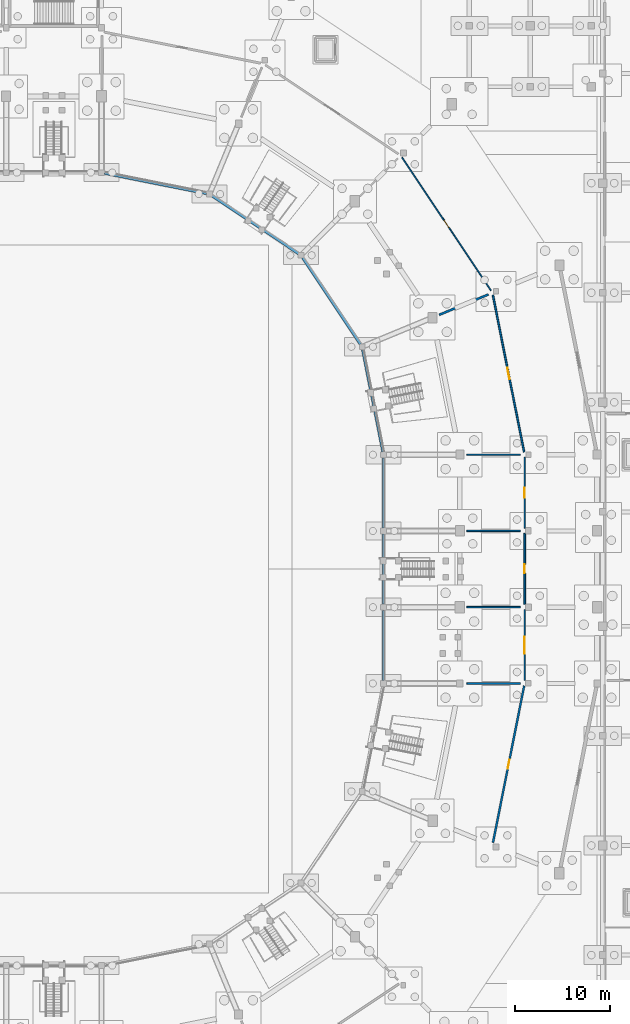
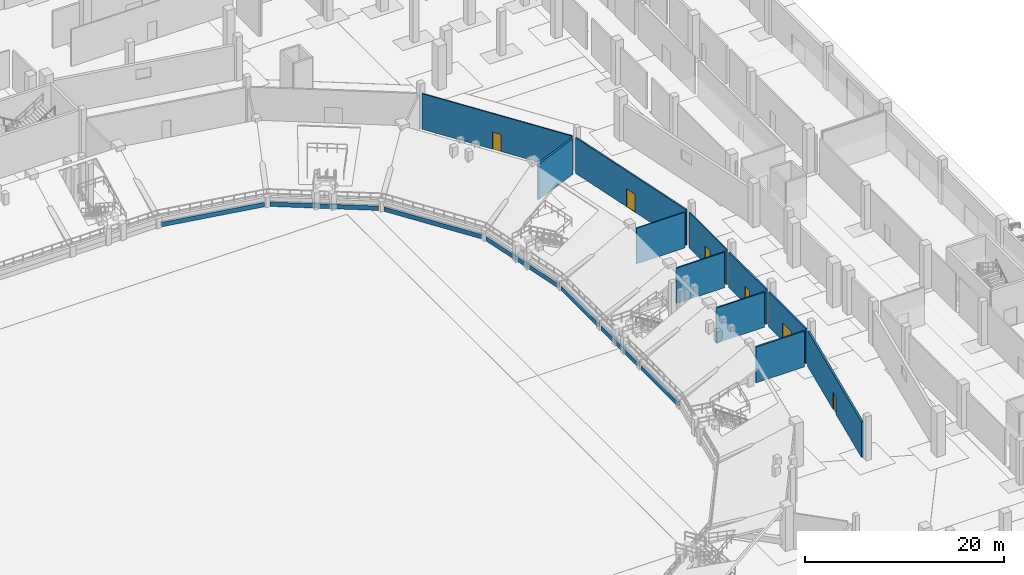
# One storey, part 34 of 68: 18 walls, 6 doors, 6 openings.
"""IFC4 building model written with IfcOpenShell, lengths in metres."""

from ifc_helpers import new_model, si_unit, direction, frame, frame_2d, origin, place, context, subcontext, project, spatial, rectangle, extrude, material, layer, layer_set, type_object, element, fill, save


model = new_model("IFC4")

# Units and contexts
model_context = context("Model", 3, precision=1e-05, world=origin(), true_north=direction((0.0, 1.0)))
body_context = subcontext(model_context, "Body", "Model", "MODEL_VIEW")
ifc_project = project(units=[si_unit("LENGTHUNIT", "METRE"), si_unit("AREAUNIT", "SQUARE_METRE"), si_unit("VOLUMEUNIT", "CUBIC_METRE"), si_unit("PLANEANGLEUNIT", "RADIAN"), si_unit("MASSUNIT", "GRAM", prefix="KILO")], contexts=[model_context])

# Site, building, storey
site_placement = place(None, origin())
site = spatial("IfcSite", under=ifc_project, at=site_placement, CompositionType="ELEMENT")
building_placement = place(site_placement, origin())
building = spatial("IfcBuilding", under=site, at=building_placement, Name="Candeia Ridge Stadium", CompositionType="ELEMENT")
storey_placement = place(building_placement, origin())
storey = spatial("IfcBuildingStorey", under=building, at=storey_placement, Name="L00", CompositionType="ELEMENT", Elevation=0.0)

# Wall
ifc_material_1 = material(Name="Concrete Masonry Blockwork C25/30", Category="masonry")
ifc_layer_1 = layer(ifc_material_1, 0.14990234375, Name="Concrete Masonry Blockwork C25/30", Category="masonry")
ifc_layer_set_1 = layer_set([ifc_layer_1], Name="Concrete Masonry Blockwork C25/30")
wall_type_1 = type_object("IfcWallType", Name="Concourse Kiosk Partition 150", PredefinedType="PARTITIONING", material=ifc_layer_set_1)
wall_1_placement = place(storey_placement, frame((179.35009765625, 87.0, 0.0), z_axis=(0.0, 0.0, 1.0), x_axis=(1.0, 0.0, 0.0)))
element("IfcWall", 1, at=wall_1_placement, inside=storey, type_object=wall_type_1, Name="Demising partition PT-L00-0167", PredefinedType="PARTITIONING", context=body_context, shape_type="SweptSolid", body=[
    extrude(rectangle(XDim=5.599853515625, YDim=0.14990234375, at=frame_2d((2.7998046875, 0.0))), origin(), (0.0, 0.0, 1.0), 4.344970703125),
])

# Wall, opening, door
ifc_material_2 = material(Name="Gypsum Acoustic Twin-Stud Assembly", Category="gypsum")
ifc_layer_2 = layer(ifc_material_2, 0.179931640625, Name="Gypsum Acoustic Twin-Stud Assembly", Category="gypsum")
ifc_layer_set_2 = layer_set([ifc_layer_2], Name="Gypsum Acoustic Twin-Stud Assembly")
wall_type_2 = type_object("IfcWallType", Name="Corridor Fire Partition 180", PredefinedType="PARTITIONING", material=ifc_layer_set_2)
wall_2_placement = place(storey_placement, frame((185.39990234375, 86.75, 0.0), z_axis=(0.0, 0.0, 1.0), x_axis=(0.0, -1.0, 0.0)))
wall_2 = element("IfcWall", 2, at=wall_2_placement, inside=storey, type_object=wall_type_2, Name="Interior partition PT-L00-0166", PredefinedType="PARTITIONING", context=body_context, shape_type="SweptSolid", body=[
    extrude(rectangle(XDim=7.4599609375, YDim=0.179931640625, at=frame_2d((3.72998046875, 0.0))), origin(), (0.0, 0.0, 1.0), 4.304931640625),
])
opening_1_placement = place(wall_2_placement, frame((3.2548828125, 0.0, 0.0)))
opening_1 = element("IfcOpeningElement", 3, at=opening_1_placement, cuts=wall_2, Name="Opening ID05", PredefinedType="OPENING", context=body_context, shape_type="SweptSolid", body=[
    extrude(rectangle(XDim=0.949951171875, YDim=2.14990234375, at=frame_2d((0.47509765625, 1.074951171875))), frame((0.0, 0.099853515625, 0.0), z_axis=(0.0, -1.0, 0.0), x_axis=(1.0, 0.0, 0.0)), (0.0, 0.0, 1.0), 0.199951171875),
])
ifc_material_3 = material(Name="Solid Core Cedar Veneer", Category="wood")
door_type_1 = type_object("IfcDoorType", Name="General Room Single Door 950x2150", OperationType="NOTDEFINED", PredefinedType="DOOR", material=ifc_material_3)
door_1_placement = place(opening_1_placement, frame((0.949951171875, 0.0, 0.0), z_axis=(0.0, 0.0, 1.0), x_axis=(-1.0, 0.0, 0.0)))
door_1 = element("IfcDoor", 4, at=door_1_placement, inside=storey, type_object=door_type_1, Name="Interior room door D-L00-0087", OperationType="SINGLE_SWING_LEFT", OverallHeight=2.14990234375, OverallWidth=0.949951171875, PredefinedType="DOOR", context=body_context, shape_type="SweptSolid", body=[
    extrude(rectangle(XDim=0.949951171875, YDim=2.14990234375, at=frame_2d((0.47509765625, 1.074951171875))), frame((0.0, 0.02490234375, 0.0), z_axis=(0.0, -1.0, 0.0), x_axis=(1.0, 0.0, 0.0)), (0.0, 0.0, 1.0), 0.050048828125),
])
fill(opening_1, door_1)

# Wall
ifc_material_4 = material(Name="Moisture-Resistant Masonry & Tile", Category="masonry")
ifc_layer_3 = layer(ifc_material_4, 0.22998046875, Name="Moisture-Resistant Masonry & Tile", Category="masonry")
ifc_layer_set_3 = layer_set([ifc_layer_3], Name="Moisture-Resistant Masonry & Tile")
wall_type_3 = type_object("IfcWallType", Name="Dressing Suite Wet-Wall Chase 230", PredefinedType="PLUMBINGWALL", material=ifc_layer_set_3)
wall_3_placement = place(storey_placement, frame((176.4306640625, 109.67578125, 0.0), z_axis=(0.0, 0.0, 1.0), x_axis=(0.923879745429, 0.382682918336, 0.0)))
element("IfcWall", 5, at=wall_3_placement, inside=storey, type_object=wall_type_3, Name="Demising partition PT-L00-0171", PredefinedType="PLUMBINGWALL", context=body_context, shape_type="SweptSolid", body=[
    extrude(rectangle(XDim=5.60009765625, YDim=0.22998046875, at=frame_2d((2.800048828125, 0.0))), origin(), (0.0, 0.0, 1.0), 4.364990234375),
])

# Wall, opening, door
ifc_material_5 = material(Name="Gypsum Metal-Stud Partition", Category="gypsum")
ifc_layer_4 = layer(ifc_material_5, 0.135009765625, Name="Gypsum Metal-Stud Partition", Category="gypsum")
ifc_layer_set_4 = layer_set([ifc_layer_4], Name="Gypsum Metal-Stud Partition")
wall_type_4 = type_object("IfcWallType", Name="General Room Partition 135", PredefinedType="PARTITIONING", material=ifc_layer_set_4)
wall_4_placement = place(storey_placement, frame((185.39990234375, 94.75, 0.0), z_axis=(0.0, 0.0, 1.0), x_axis=(0.0, -1.0, 0.0)))
wall_4 = element("IfcWall", 6, at=wall_4_placement, inside=storey, type_object=wall_type_4, Name="Interior partition PT-L00-0168", PredefinedType="PARTITIONING", context=body_context, shape_type="SweptSolid", body=[
    extrude(rectangle(XDim=7.4599609375, YDim=0.135009765625, at=frame_2d((3.72998046875, 0.0))), origin(), (0.0, 0.0, 1.0), 4.344970703125),
])
opening_2_placement = place(wall_4_placement, frame((3.205078125, 0.0, 0.0)))
opening_2 = element("IfcOpeningElement", 7, at=opening_2_placement, cuts=wall_4, Name="Opening ID01", PredefinedType="OPENING", context=body_context, shape_type="SweptSolid", body=[
    extrude(rectangle(XDim=1.050048828125, YDim=2.199951171875, at=frame_2d((0.52490234375, 1.10009765625))), frame((0.0, 0.077392578125, 0.0), z_axis=(0.0, -1.0, 0.0), x_axis=(1.0, 0.0, 0.0)), (0.0, 0.0, 1.0), 0.155029296875),
])
ifc_material_6 = material(Name="Western Red Cedar Acoustic Veneer", Category="wood")
door_type_2 = type_object("IfcDoorType", Name="Hospitality Suite Entrance Door 1050x2200", OperationType="NOTDEFINED", PredefinedType="DOOR", material=ifc_material_6)
door_2_placement = place(opening_2_placement, frame((1.050048828125, 0.0, 0.0), z_axis=(0.0, 0.0, 1.0), x_axis=(-1.0, 0.0, 0.0)))
door_2 = element("IfcDoor", 8, at=door_2_placement, inside=storey, type_object=door_type_2, Name="Interior room door D-L00-0088", OperationType="SINGLE_SWING_RIGHT", OverallHeight=2.199951171875, OverallWidth=1.050048828125, PredefinedType="DOOR", context=body_context, shape_type="SweptSolid", body=[
    extrude(rectangle(XDim=1.050048828125, YDim=2.199951171875, at=frame_2d((0.52490234375, 1.10009765625))), frame((0.0, 0.02490234375, 0.0), z_axis=(0.0, -1.0, 0.0), x_axis=(1.0, 0.0, 0.0)), (0.0, 0.0, 1.0), 0.050048828125),
])
fill(opening_2, door_2)

# Walls
ifc_layer_5 = layer(ifc_material_2, 0.1650390625, Name="Gypsum Acoustic Twin-Stud Assembly", Category="gypsum")
ifc_layer_set_5 = layer_set([ifc_layer_5], Name="Gypsum Acoustic Twin-Stud Assembly")
wall_type_5 = type_object("IfcWallType", Name="Hospitality Suite Acoustic Wall 165", PredefinedType="PARTITIONING", material=ifc_layer_set_5)
wall_5_placement = place(storey_placement, frame((179.35009765625, 79.0, 0.0), z_axis=(0.0, 0.0, 1.0), x_axis=(1.0, 0.0, 0.0)))
element("IfcWall", 9, at=wall_5_placement, inside=storey, type_object=wall_type_5, Name="Demising partition PT-L00-0165", PredefinedType="PARTITIONING", context=body_context, shape_type="SweptSolid", body=[
    extrude(rectangle(XDim=5.599853515625, YDim=0.1650390625, at=frame_2d((2.7998046875, 0.0))), origin(), (0.0, 0.0, 1.0), 4.304931640625),
])
ifc_material_7 = material(Name="Gypsum Acoustic Triple-Board Wall", Category="gypsum")
ifc_layer_6 = layer(ifc_material_7, 0.18505859375, Name="Gypsum Acoustic Triple-Board Wall", Category="gypsum")
ifc_layer_set_6 = layer_set([ifc_layer_6], Name="Gypsum Acoustic Triple-Board Wall")
wall_type_6 = type_object("IfcWallType", Name="Media Booth Studio Divider 185", PredefinedType="PARTITIONING", material=ifc_layer_set_6)
wall_6_placement = place(storey_placement, frame((179.35009765625, 71.0, 0.0), z_axis=(0.0, 0.0, 1.0), x_axis=(1.0, 0.0, 0.0)))
element("IfcWall", 10, at=wall_6_placement, inside=storey, type_object=wall_type_6, Name="Demising partition PT-L00-0163", PredefinedType="PARTITIONING", context=body_context, shape_type="SweptSolid", body=[
    extrude(rectangle(XDim=5.599853515625, YDim=0.18505859375, at=frame_2d((2.7998046875, 0.0))), origin(), (0.0, 0.0, 1.0), 4.385009765625),
])

# Wall, opening, door
ifc_layer_7 = layer(ifc_material_2, 0.175048828125, Name="Gypsum Acoustic Twin-Stud Assembly", Category="gypsum")
ifc_layer_set_7 = layer_set([ifc_layer_7], Name="Gypsum Acoustic Twin-Stud Assembly")
wall_type_7 = type_object("IfcWallType", Name="Museum Acoustic Gallery Wall 175", PredefinedType="PARTITIONING", material=ifc_layer_set_7)
wall_7_placement = place(storey_placement, frame((182.069091796875, 111.745849609375, 0.0), z_axis=(0.0, 0.0, 1.0), x_axis=(0.195086564225, -0.980786027867, 0.0)))
wall_7 = element("IfcWall", 11, at=wall_7_placement, inside=storey, type_object=wall_type_7, Name="Interior partition PT-L00-0170", PredefinedType="PARTITIONING", context=body_context, shape_type="SweptSolid", body=[
    extrude(rectangle(XDim=16.783203125, YDim=0.175048828125, at=frame_2d((8.3916015625, 0.0))), origin(), (0.0, 0.0, 1.0), 4.375),
])
opening_3_placement = place(wall_7_placement, frame((7.7666015625, 0.0, 0.0)))
opening_3 = element("IfcOpeningElement", 12, at=opening_3_placement, cuts=wall_7, Name="Opening ID11", PredefinedType="OPENING", context=body_context, shape_type="SweptSolid", body=[
    extrude(rectangle(XDim=1.25, YDim=2.199951171875, at=frame_2d((0.625, 1.10009765625))), frame((0.0, 0.097412109375, 0.0), z_axis=(0.0, -1.0, 0.0), x_axis=(1.0, 0.0, 0.0)), (0.0, 0.0, 1.0), 0.195068359375),
])
ifc_material_8 = material(Name="Acoustic Timber Studio Leaf", Category="wood")
door_type_3 = type_object("IfcDoorType", Name="Press Tribune Acoustic Door 1250x2200", OperationType="NOTDEFINED", PredefinedType="DOOR", material=ifc_material_8)
door_3_placement = place(opening_3_placement, origin())
door_3 = element("IfcDoor", 13, at=door_3_placement, inside=storey, type_object=door_type_3, Name="Interior room door D-L00-0089", OperationType="SINGLE_SWING_LEFT", OverallHeight=2.199951171875, OverallWidth=1.25, PredefinedType="DOOR", context=body_context, shape_type="SweptSolid", body=[
    extrude(rectangle(XDim=1.25, YDim=2.199951171875, at=frame_2d((0.625, 1.10009765625))), frame((0.0, 0.02490234375, 0.0), z_axis=(0.0, -1.0, 0.0), x_axis=(1.0, 0.0, 0.0)), (0.0, 0.0, 1.0), 0.050048828125),
])
fill(opening_3, door_3)

# Walls
ifc_material_9 = material(Name="Concrete C45/55", Category="concrete")
ifc_layer_8 = layer(ifc_material_9, 0.264892578125, Name="Concrete C45/55", Category="concrete")
ifc_layer_set_8 = layer_set([ifc_layer_8], Name="Concrete C45/55")
wall_type_8 = type_object("IfcWallType", Name="Pitch-Side Moat Retaining Wall 265", PredefinedType="SOLIDWALL", material=ifc_layer_set_8)
for number, where, z_axis, x_axis, name in (
    (14, (170.60009765625, 71.320068359375, 0.0), (0.0, 0.0, 1.0), (0.0, 1.0, 0.0), "Pitch-side moat wall EW-L00-0038"),
    (15, (170.60009765625, 79.320068359375, 0.0), (0.0, 0.0, 1.0), (0.0, 1.0, 0.0), "Pitch-side moat wall EW-L00-0039"),
    (16, (170.60009765625, 87.320068359375, 0.0), (0.0, 0.0, 1.0), (0.0, 1.0, 0.0), "Pitch-side moat wall EW-L00-0040"),
):
    element("IfcWall", number, at=place(storey_placement, frame(where, z_axis=z_axis, x_axis=x_axis)), inside=storey, type_object=wall_type_8, Name=name, PredefinedType="SOLIDWALL", context=body_context, shape_type="SweptSolid", body=[
        extrude(rectangle(XDim=7.35986328125, YDim=0.264892578125, at=frame_2d((3.679931640625, 0.0))), origin(), (0.0, 0.0, 1.0), 0.5400390625),
    ])
for number, where, z_axis, x_axis, name in (
    (17, (170.53759765625, 95.31396484375, 0.0), (0.0, 0.0, 1.0), (-0.195100366358, 0.980783282406, 0.0), "Pitch-side moat wall EW-L00-0041"),
    (18, (168.169189453125, 106.593505859375, 0.0), (0.0, 0.0, 1.0), (-0.555577827724, 0.831464537633, 0.0), "Pitch-side moat wall EW-L00-0042"),
    (19, (161.664306640625, 116.108154296875, 0.0), (0.0, 0.0, 1.0), (-0.831464537633, 0.555577827724, 0.0), "Pitch-side moat wall EW-L00-0043"),
    (20, (152.013671875, 122.4091796875, 0.0), (0.0, 0.0, 1.0), (-0.980783282406, 0.195100366358, 0.0), "Pitch-side moat wall EW-L00-0044"),
):
    element("IfcWall", number, at=place(storey_placement, frame(where, z_axis=z_axis, x_axis=x_axis)), inside=storey, type_object=wall_type_8, Name=name, PredefinedType="SOLIDWALL", context=body_context, shape_type="SweptSolid", body=[
        extrude(rectangle(XDim=10.909423828125, YDim=0.264892578125, at=frame_2d((5.45458984375, 0.0))), origin(), (0.0, 0.0, 1.0), 0.5400390625),
    ])

# Wall, opening, door
ifc_layer_9 = layer(ifc_material_4, 0.2099609375, Name="Moisture-Resistant Masonry & Tile", Category="masonry")
ifc_layer_set_9 = layer_set([ifc_layer_9], Name="Moisture-Resistant Masonry & Tile")
wall_type_9 = type_object("IfcWallType", Name="Sanitary Wet-Wall Plumbing Chase 210", PredefinedType="PLUMBINGWALL", material=ifc_layer_set_9)
wall_8_placement = place(storey_placement, frame((185.351318359375, 70.7548828125, 0.0), z_axis=(0.0, 0.0, 1.0), x_axis=(-0.195100557291, -0.980783244425, 0.0)))
wall_8 = element("IfcWall", 21, at=wall_8_placement, inside=storey, type_object=wall_type_9, Name="Interior partition PT-L00-0162", PredefinedType="PLUMBINGWALL", context=body_context, shape_type="SweptSolid", body=[
    extrude(rectangle(XDim=16.783203125, YDim=0.2099609375, at=frame_2d((8.3916015625, 0.0))), origin(), (0.0, 0.0, 1.0), 4.364990234375),
])
opening_4_placement = place(wall_8_placement, frame((7.931640625, 0.0, 0.0)))
opening_4 = element("IfcOpeningElement", 22, at=opening_4_placement, cuts=wall_8, Name="Opening ID15", PredefinedType="OPENING", context=body_context, shape_type="SweptSolid", body=[
    extrude(rectangle(XDim=0.919921875, YDim=2.10009765625, at=frame_2d((0.4599609375, 1.050048828125))), frame((0.0, 0.114990234375, 0.0), z_axis=(0.0, -1.0, 0.0), x_axis=(1.0, 0.0, 0.0)), (0.0, 0.0, 1.0), 0.22998046875),
])
ifc_material_10 = material(Name="Powder-Coated Hollow Metal", Category="steel")
door_type_4 = type_object("IfcDoorType", Name="Concourse Store Single Door 920x2100", OperationType="NOTDEFINED", PredefinedType="DOOR", material=ifc_material_10)
door_4_placement = place(opening_4_placement, origin())
door_4 = element("IfcDoor", 23, at=door_4_placement, inside=storey, type_object=door_type_4, Name="Interior room door D-L00-0085", OperationType="SINGLE_SWING_RIGHT", OverallHeight=2.10009765625, OverallWidth=0.919921875, PredefinedType="DOOR", context=body_context, shape_type="SweptSolid", body=[
    extrude(rectangle(XDim=0.919921875, YDim=2.10009765625, at=frame_2d((0.4599609375, 1.050048828125))), frame((0.0, 0.02490234375, 0.0), z_axis=(0.0, -1.0, 0.0), x_axis=(1.0, 0.0, 0.0)), (0.0, 0.0, 1.0), 0.050048828125),
])
fill(opening_4, door_4)

ifc_layer_10 = layer(ifc_material_2, 0.169921875, Name="Gypsum Acoustic Twin-Stud Assembly", Category="gypsum")
ifc_layer_set_10 = layer_set([ifc_layer_10], Name="Gypsum Acoustic Twin-Stud Assembly")
wall_type_10 = type_object("IfcWallType", Name="Skybox Demising Acoustic Wall 170", PredefinedType="PARTITIONING", material=ifc_layer_set_10)
wall_9_placement = place(storey_placement, frame((185.39990234375, 78.75, 0.0), z_axis=(0.0, 0.0, 1.0), x_axis=(0.0, -1.0, 0.0)))
wall_9 = element("IfcWall", 24, at=wall_9_placement, inside=storey, type_object=wall_type_10, Name="Interior partition PT-L00-0164", PredefinedType="PARTITIONING", context=body_context, shape_type="SweptSolid", body=[
    extrude(rectangle(XDim=7.4599609375, YDim=0.169921875, at=frame_2d((3.72998046875, 0.0))), origin(), (0.0, 0.0, 1.0), 4.304931640625),
])
opening_5_placement = place(wall_9_placement, frame((2.830078125, 0.0, 0.0)))
opening_5 = element("IfcOpeningElement", 25, at=opening_5_placement, cuts=wall_9, Name="Opening FD03", PredefinedType="OPENING", context=body_context, shape_type="SweptSolid", body=[
    extrude(rectangle(XDim=1.800048828125, YDim=2.199951171875, at=frame_2d((0.89990234375, 1.10009765625))), frame((0.0, 0.094970703125, 0.0), z_axis=(0.0, -1.0, 0.0), x_axis=(1.0, 0.0, 0.0)), (0.0, 0.0, 1.0), 0.18994140625),
])
ifc_material_11 = material(Name="Timber Fire-Rated Acoustic", Category="wood")
door_type_5 = type_object("IfcDoorType", Name="Corridor Compartment Double Door 1800x2200", OperationType="NOTDEFINED", PredefinedType="DOOR", material=ifc_material_11)
door_5_placement = place(opening_5_placement, origin())
door_5 = element("IfcDoor", 26, at=door_5_placement, inside=storey, type_object=door_type_5, Name="Interior room door D-L00-0086", OperationType="DOUBLE_DOOR_SINGLE_SWING", OverallHeight=2.199951171875, OverallWidth=1.800048828125, PredefinedType="DOOR", context=body_context, shape_type="SweptSolid", body=[
    extrude(rectangle(XDim=1.800048828125, YDim=2.199951171875, at=frame_2d((0.89990234375, 1.10009765625))), frame((0.0, 0.02490234375, 0.0), z_axis=(0.0, -1.0, 0.0), x_axis=(1.0, 0.0, 0.0)), (0.0, 0.0, 1.0), 0.050048828125),
])
fill(opening_5, door_5)

# Wall
ifc_layer_11 = layer(ifc_material_5, 0.1201171875, Name="Gypsum Metal-Stud Partition", Category="gypsum")
ifc_layer_set_11 = layer_set([ifc_layer_11], Name="Gypsum Metal-Stud Partition")
wall_type_11 = type_object("IfcWallType", Name="Suite Internal Divider 120", PredefinedType="PARTITIONING", material=ifc_layer_set_11)
wall_10_placement = place(storey_placement, frame((179.35009765625, 95.0, 0.0), z_axis=(0.0, 0.0, 1.0), x_axis=(1.0, 0.0, 0.0)))
element("IfcWall", 27, at=wall_10_placement, inside=storey, type_object=wall_type_11, Name="Demising partition PT-L00-0169", PredefinedType="PARTITIONING", context=body_context, shape_type="SweptSolid", body=[
    extrude(rectangle(XDim=5.599853515625, YDim=0.1201171875, at=frame_2d((2.7998046875, 0.0))), origin(), (0.0, 0.0, 1.0), 4.375),
])

# Wall, opening, door
ifc_layer_12 = layer(ifc_material_5, 0.1298828125, Name="Gypsum Metal-Stud Partition", Category="gypsum")
ifc_layer_set_12 = layer_set([ifc_layer_12], Name="Gypsum Metal-Stud Partition")
wall_type_12 = type_object("IfcWallType", Name="Ticketing Back-Office Partition 130", PredefinedType="PARTITIONING", material=ifc_layer_set_12)
wall_11_placement = place(storey_placement, frame((172.534423828125, 126.1875, 0.0), z_axis=(0.0, 0.0, 1.0), x_axis=(0.555572701103, -0.831467963177, 0.0)))
wall_11 = element("IfcWall", 28, at=wall_11_placement, inside=storey, type_object=wall_type_12, Name="Interior partition PT-L00-0172", PredefinedType="PARTITIONING", context=body_context, shape_type="SweptSolid", body=[
    extrude(rectangle(XDim=16.782958984375, YDim=0.1298828125, at=frame_2d((8.3916015625, 0.0))), origin(), (0.0, 0.0, 1.0), 4.364990234375),
])
opening_6_placement = place(wall_11_placement, frame((7.931640625, 0.0, 0.0)))
opening_6 = element("IfcOpeningElement", 29, at=opening_6_placement, cuts=wall_11, Name="Opening ID15", PredefinedType="OPENING", context=body_context, shape_type="SweptSolid", body=[
    extrude(rectangle(XDim=0.919921875, YDim=2.10009765625, at=frame_2d((0.4599609375, 1.050048828125))), frame((0.0, 0.074951171875, 0.0), z_axis=(0.0, -1.0, 0.0), x_axis=(1.0, 0.0, 0.0)), (0.0, 0.0, 1.0), 0.14990234375),
])
door_6_placement = place(opening_6_placement, origin())
door_6 = element("IfcDoor", 30, at=door_6_placement, inside=storey, type_object=door_type_4, Name="Interior room door D-L00-0090", OperationType="SINGLE_SWING_RIGHT", OverallHeight=2.10009765625, OverallWidth=0.919921875, PredefinedType="DOOR", context=body_context, shape_type="SweptSolid", body=[
    extrude(rectangle(XDim=0.919921875, YDim=2.10009765625, at=frame_2d((0.4599609375, 1.050048828125))), frame((0.0, 0.02490234375, 0.0), z_axis=(0.0, -1.0, 0.0), x_axis=(1.0, 0.0, 0.0)), (0.0, 0.0, 1.0), 0.050048828125),
])
fill(opening_6, door_6)

save(model, "model.ifc")
